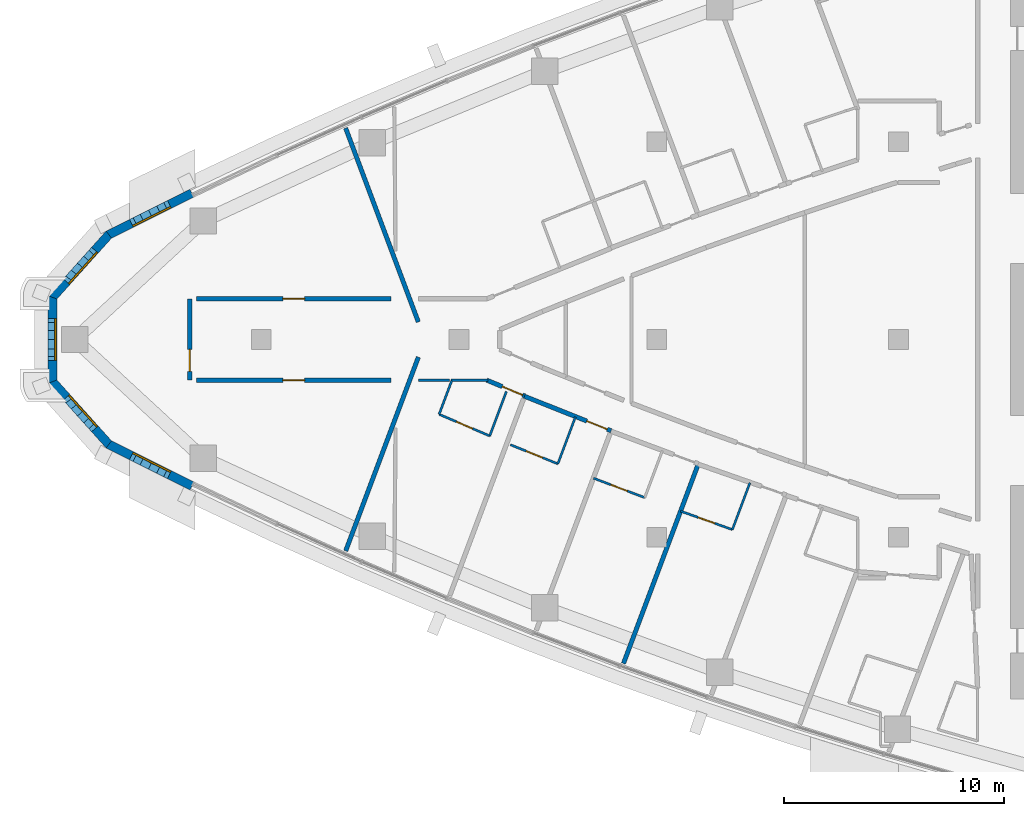
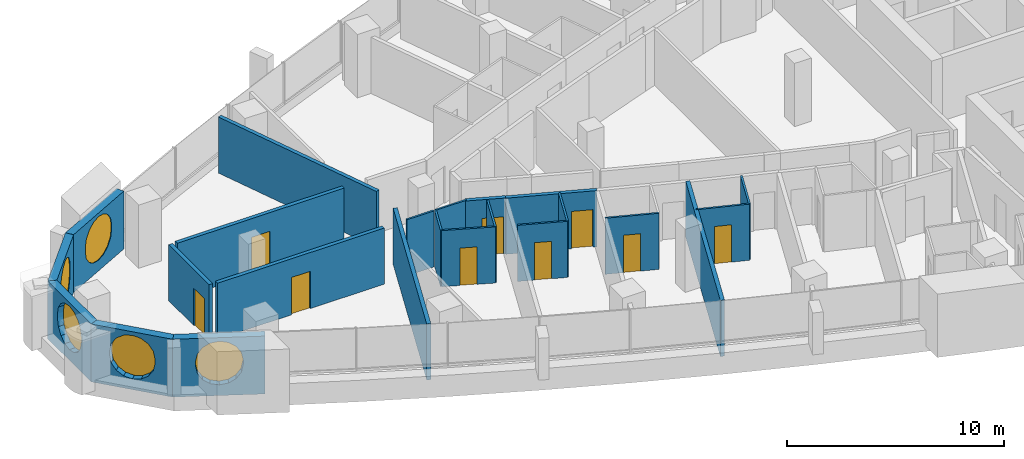
# One storey, part 8 of 16: 23 walls, 9 doors, 5 windows, 14 openings.
"""IFC4 building model written with IfcOpenShell, lengths in metres."""

from ifc_helpers import new_model, si_unit, direction, frame, frame_2d, origin, place, context, subcontext, project, spatial, polyline, rectangle, outline, extrude, material, layer, layer_set, type_object, element, fill, save


model = new_model("IFC4")

# Units and contexts
model_context = context("Model", 3, precision=1e-05, world=origin(), true_north=direction((0.0, 1.0)))
body_context = subcontext(model_context, "Body", "Model", "MODEL_VIEW")
ifc_project = project(units=[si_unit("LENGTHUNIT", "METRE"), si_unit("AREAUNIT", "SQUARE_METRE"), si_unit("VOLUMEUNIT", "CUBIC_METRE"), si_unit("PLANEANGLEUNIT", "RADIAN"), si_unit("MASSUNIT", "GRAM", prefix="KILO")], contexts=[model_context])

# Site, building, storey
site_placement = place(None, origin())
site = spatial("IfcSite", under=ifc_project, at=site_placement, CompositionType="ELEMENT")
building_placement = place(site_placement, origin())
building = spatial("IfcBuilding", under=site, at=building_placement, Name="Ostrand Prow Hotel Tower", CompositionType="ELEMENT")
storey_placement = place(building_placement, frame((0.0, 0.0, 252.75)))
storey = spatial("IfcBuildingStorey", under=building, at=storey_placement, Name="L64", CompositionType="ELEMENT", Elevation=252.75)

# Walls
ifc_material_1 = material(Name="Plasterboard partition")
ifc_layer_1 = layer(ifc_material_1, 0.10009765625)
ifc_layer_set_1 = layer_set([ifc_layer_1], Name="Plasterboard partition")
wall_type_1 = type_object("IfcWallType", Name="Partition 100 bathroom wall", PredefinedType="PARTITIONING", material=ifc_layer_set_1)
wall_1_placement = place(storey_placement, frame((24.09619140625, -3.403564453125, 0.0), z_axis=(0.0, 0.0, 1.0), x_axis=(0.351156192753, 0.936316895229, 0.0)))
element("IfcWall", 1, at=wall_1_placement, inside=storey, type_object=wall_type_1, Name="BATHROOM WALL", PredefinedType="PARTITIONING", context=body_context, shape_type="SweptSolid", body=[
    extrude(rectangle(XDim=1.6337890625, YDim=0.10009765625, at=frame_2d((0.81689453125, 0.0))), origin(), (0.0, 0.0, 1.0), 3.14990234375),
])
wall_2_placement = place(storey_placement, frame((27.15625, -2.36328125, 0.0), z_axis=(0.0, 0.0, 1.0), x_axis=(-0.351086267198, -0.936343117124, 0.0)))
element("IfcWall", 2, at=wall_2_placement, inside=storey, type_object=wall_type_1, Name="BATHROOM WALL", PredefinedType="PARTITIONING", context=body_context, shape_type="SweptSolid", body=[
    extrude(rectangle(XDim=2.1591796875, YDim=0.10009765625, at=frame_2d((1.07958984375, 0.0))), origin(), (0.0, 0.0, 1.0), 3.14990234375),
])

# Wall, opening, door
wall_3_placement = place(storey_placement, frame((26.39794921875, -4.385009765625, 0.0), z_axis=(0.0, 0.0, 1.0), x_axis=(-0.919870178563, 0.392222965404, 0.0)))
wall_3 = element("IfcWall", 3, at=wall_3_placement, inside=storey, type_object=wall_type_1, Name="BATHROOM WALL", PredefinedType="PARTITIONING", context=body_context, shape_type="SweptSolid", body=[
    extrude(rectangle(XDim=2.502197265625, YDim=0.10009765625, at=frame_2d((1.2509765625, 0.0))), origin(), (0.0, 0.0, 1.0), 3.14990234375),
])
opening_1_placement = place(wall_3_placement, frame((0.85009765625, 0.0, 0.0)))
opening_1 = element("IfcOpeningElement", 4, at=opening_1_placement, cuts=wall_3, Name="Opening D2", PredefinedType="OPENING", context=body_context, shape_type="SweptSolid", body=[
    extrude(rectangle(XDim=0.800048828125, YDim=2.10009765625, at=frame_2d((0.39990234375, 1.050048828125))), frame((0.0, 0.06005859375, 0.0), z_axis=(0.0, -1.0, 0.0), x_axis=(1.0, 0.0, 0.0)), (0.0, 0.0, 1.0), 0.1201171875),
])
ifc_material_2 = material(Name="Timber door leaf", Category="wood")
door_type_1 = type_object("IfcDoorType", Name="Bathroom door 800", OperationType="SINGLE_SWING_LEFT", PredefinedType="DOOR", material=ifc_material_2)
door_1_placement = place(opening_1_placement, origin())
door_1 = element("IfcDoor", 5, at=door_1_placement, inside=storey, type_object=door_type_1, Name="DOOR", OperationType="SINGLE_SWING_LEFT", OverallHeight=2.10009765625, OverallWidth=0.800048828125, PredefinedType="DOOR", context=body_context, shape_type="SweptSolid", body=[
    extrude(rectangle(XDim=0.800048828125, YDim=2.10009765625, at=frame_2d((0.39990234375, 1.050048828125))), frame((0.0, 0.02490234375, 0.0), z_axis=(0.0, -1.0, 0.0), x_axis=(1.0, 0.0, 0.0)), (0.0, 0.0, 1.0), 0.050048828125),
])
fill(opening_1, door_1)

# Wall
wall_4_placement = place(storey_placement, frame((30.29638671875, -3.5224609375, 0.0), z_axis=(0.0, 0.0, 1.0), x_axis=(-0.351099944253, -0.936337988734, 0.0)))
element("IfcWall", 6, at=wall_4_placement, inside=storey, type_object=wall_type_1, Name="BATHROOM WALL", PredefinedType="PARTITIONING", context=body_context, shape_type="SweptSolid", body=[
    extrude(rectangle(XDim=2.27734375, YDim=0.10009765625, at=frame_2d((1.138671875, 0.0))), origin(), (0.0, 0.0, 1.0), 3.14990234375),
])

# Wall, opening, door
wall_5_placement = place(storey_placement, frame((29.496826171875, -5.65478515625, 0.0), z_axis=(0.0, 0.0, 1.0), x_axis=(-0.927619412923, 0.373526739028, 0.0)))
wall_5 = element("IfcWall", 7, at=wall_5_placement, inside=storey, type_object=wall_type_1, Name="BATHROOM WALL", PredefinedType="PARTITIONING", context=body_context, shape_type="SweptSolid", body=[
    extrude(rectangle(XDim=2.32421875, YDim=0.10009765625, at=frame_2d((1.162109375, 0.0))), origin(), (0.0, 0.0, 1.0), 3.14990234375),
])
opening_2_placement = place(wall_5_placement, frame((0.75, 0.0, 0.0)))
opening_2 = element("IfcOpeningElement", 8, at=opening_2_placement, cuts=wall_5, Name="Opening D2", PredefinedType="OPENING", context=body_context, shape_type="SweptSolid", body=[
    extrude(rectangle(XDim=0.800048828125, YDim=2.10009765625, at=frame_2d((0.39990234375, 1.050048828125))), frame((0.0, 0.06005859375, 0.0), z_axis=(0.0, -1.0, 0.0), x_axis=(1.0, 0.0, 0.0)), (0.0, 0.0, 1.0), 0.1201171875),
])
door_2_placement = place(opening_2_placement, origin())
door_2 = element("IfcDoor", 9, at=door_2_placement, inside=storey, type_object=door_type_1, Name="DOOR", OperationType="SINGLE_SWING_LEFT", OverallHeight=2.10009765625, OverallWidth=0.800048828125, PredefinedType="DOOR", context=body_context, shape_type="SweptSolid", body=[
    extrude(rectangle(XDim=0.800048828125, YDim=2.10009765625, at=frame_2d((0.39990234375, 1.050048828125))), frame((0.0, 0.02490234375, 0.0), z_axis=(0.0, -1.0, 0.0), x_axis=(1.0, 0.0, 0.0)), (0.0, 0.0, 1.0), 0.050048828125),
])
fill(opening_2, door_2)

wall_6_placement = place(storey_placement, frame((33.44970703125, -7.192626953125, 0.0), z_axis=(0.0, 0.0, 1.0), x_axis=(-0.93495051617, 0.354778145202, 0.0)))
wall_6 = element("IfcWall", 10, at=wall_6_placement, inside=storey, type_object=wall_type_1, Name="BATHROOM WALL", PredefinedType="PARTITIONING", context=body_context, shape_type="SweptSolid", body=[
    extrude(rectangle(XDim=2.49462890625, YDim=0.10009765625, at=frame_2d((1.247314453125, 0.0))), origin(), (0.0, 0.0, 1.0), 3.14990234375),
])
opening_3_placement = place(wall_6_placement, frame((0.85009765625, 0.0, 0.0)))
opening_3 = element("IfcOpeningElement", 11, at=opening_3_placement, cuts=wall_6, Name="Opening D2", PredefinedType="OPENING", context=body_context, shape_type="SweptSolid", body=[
    extrude(rectangle(XDim=0.800048828125, YDim=2.10009765625, at=frame_2d((0.39990234375, 1.050048828125))), frame((0.0, 0.06005859375, 0.0), z_axis=(0.0, -1.0, 0.0), x_axis=(1.0, 0.0, 0.0)), (0.0, 0.0, 1.0), 0.1201171875),
])
door_3_placement = place(opening_3_placement, origin())
door_3 = element("IfcDoor", 12, at=door_3_placement, inside=storey, type_object=door_type_1, Name="DOOR", OperationType="SINGLE_SWING_LEFT", OverallHeight=2.10009765625, OverallWidth=0.800048828125, PredefinedType="DOOR", context=body_context, shape_type="SweptSolid", body=[
    extrude(rectangle(XDim=0.800048828125, YDim=2.10009765625, at=frame_2d((0.39990234375, 1.050048828125))), frame((0.0, 0.02490234375, 0.0), z_axis=(0.0, -1.0, 0.0), x_axis=(1.0, 0.0, 0.0)), (0.0, 0.0, 1.0), 0.050048828125),
])
fill(opening_3, door_3)

# Wall
wall_7_placement = place(storey_placement, frame((38.236083984375, -6.515625, 0.0), z_axis=(0.0, 0.0, 1.0), x_axis=(-0.351229183496, -0.936289517543, 0.0)))
element("IfcWall", 13, at=wall_7_placement, inside=storey, type_object=wall_type_1, Name="BATHROOM WALL", PredefinedType="PARTITIONING", context=body_context, shape_type="SweptSolid", body=[
    extrude(rectangle(XDim=2.277099609375, YDim=0.10009765625, at=frame_2d((1.138671875, 0.0))), origin(), (0.0, 0.0, 1.0), 3.14990234375),
])

# Wall, opening, door
wall_8_placement = place(storey_placement, frame((37.436279296875, -8.64794921875, 0.0), z_axis=(0.0, 0.0, 1.0), x_axis=(-0.941896455552, 0.335903359641, 0.0)))
wall_8 = element("IfcWall", 14, at=wall_8_placement, inside=storey, type_object=wall_type_1, Name="BATHROOM WALL", PredefinedType="PARTITIONING", context=body_context, shape_type="SweptSolid", body=[
    extrude(rectangle(XDim=2.500244140625, YDim=0.10009765625, at=frame_2d((1.25, 0.0))), origin(), (0.0, 0.0, 1.0), 3.14990234375),
])
opening_4_placement = place(wall_8_placement, frame((0.85009765625, 0.0, 0.0)))
opening_4 = element("IfcOpeningElement", 15, at=opening_4_placement, cuts=wall_8, Name="Opening D2", PredefinedType="OPENING", context=body_context, shape_type="SweptSolid", body=[
    extrude(rectangle(XDim=0.800048828125, YDim=2.10009765625, at=frame_2d((0.39990234375, 1.050048828125))), frame((0.0, 0.06005859375, 0.0), z_axis=(0.0, -1.0, 0.0), x_axis=(1.0, 0.0, 0.0)), (0.0, 0.0, 1.0), 0.1201171875),
])
door_4_placement = place(opening_4_placement, origin())
door_4 = element("IfcDoor", 16, at=door_4_placement, inside=storey, type_object=door_type_1, Name="DOOR", OperationType="SINGLE_SWING_LEFT", OverallHeight=2.10009765625, OverallWidth=0.800048828125, PredefinedType="DOOR", context=body_context, shape_type="SweptSolid", body=[
    extrude(rectangle(XDim=0.800048828125, YDim=2.10009765625, at=frame_2d((0.39990234375, 1.050048828125))), frame((0.0, 0.02490234375, 0.0), z_axis=(0.0, -1.0, 0.0), x_axis=(1.0, 0.0, 0.0)), (0.0, 0.0, 1.0), 0.050048828125),
])
fill(opening_4, door_4)

# Walls
wall_9_placement = place(storey_placement, frame((24.64697265625, -1.85498046875, 0.0), z_axis=(0.0, 0.0, 1.0), x_axis=(1.0, 0.0, 0.0)))
element("IfcWall", 17, at=wall_9_placement, inside=storey, type_object=wall_type_1, Name="BATHROOM WALL", PredefinedType="PARTITIONING", context=body_context, shape_type="SweptSolid", body=[
    extrude(rectangle(XDim=1.6689453125, YDim=0.10009765625, at=frame_2d((0.83447265625, 0.0))), origin(), (0.0, 0.0, 1.0), 3.14990234375),
])
wall_10_placement = place(storey_placement, frame((24.572021484375, -1.85009765625, 0.0), z_axis=(0.0, 0.0, 1.0), x_axis=(-1.0, 0.0, 0.0)))
element("IfcWall", 18, at=wall_10_placement, inside=storey, type_object=wall_type_1, Name="BATHROOM WALL", PredefinedType="PARTITIONING", context=body_context, shape_type="SweptSolid", body=[
    extrude(rectangle(XDim=1.422119140625, YDim=0.10009765625, at=frame_2d((0.7109375, 0.0))), origin(), (0.0, 0.0, 1.0), 3.14990234375),
])

# Wall, opening, door
ifc_material_3 = material(Name="Plasterboard partition")
ifc_layer_2 = layer(ifc_material_3, 0.199951171875)
ifc_layer_set_2 = layer_set([ifc_layer_2], Name="Plasterboard partition")
wall_type_2 = type_object("IfcWallType", Name="Partition 200 corridor wall", PredefinedType="PARTITIONING", material=ifc_layer_set_2)
wall_11_placement = place(storey_placement, frame((13.051513671875, 1.85009765625, 0.0), z_axis=(0.0, 0.0, 1.0), x_axis=(1.0, 0.0, 0.0)))
wall_11 = element("IfcWall", 19, at=wall_11_placement, inside=storey, type_object=wall_type_2, Name="CORRIDOR WALL", PredefinedType="PARTITIONING", context=body_context, shape_type="SweptSolid", body=[
    extrude(rectangle(XDim=8.86083984375, YDim=0.199951171875, at=frame_2d((4.430419921875, 0.0))), origin(), (0.0, 0.0, 1.0), 3.14990234375),
])
opening_5_placement = place(wall_11_placement, frame((3.930419921875, 0.0, 0.0)))
opening_5 = element("IfcOpeningElement", 20, at=opening_5_placement, cuts=wall_11, Name="Opening D1", PredefinedType="OPENING", context=body_context, shape_type="SweptSolid", body=[
    extrude(rectangle(XDim=1.0, YDim=2.10009765625, at=frame_2d((0.5, 1.050048828125))), frame((0.0, 0.10986328125, 0.0), z_axis=(0.0, -1.0, 0.0), x_axis=(1.0, 0.0, 0.0)), (0.0, 0.0, 1.0), 0.219970703125),
])
ifc_material_4 = material(Name="Timber door leaf", Category="wood")
door_type_2 = type_object("IfcDoorType", Name="Guest room door 1000", OperationType="SINGLE_SWING_LEFT", PredefinedType="DOOR", material=ifc_material_4)
door_5_placement = place(opening_5_placement, origin())
door_5 = element("IfcDoor", 21, at=door_5_placement, inside=storey, type_object=door_type_2, Name="DOOR", OperationType="SINGLE_SWING_LEFT", OverallHeight=2.10009765625, OverallWidth=1.0, PredefinedType="DOOR", context=body_context, shape_type="SweptSolid", body=[
    extrude(rectangle(XDim=1.0, YDim=2.10009765625, at=frame_2d((0.5, 1.050048828125))), frame((0.0, 0.02490234375, 0.0), z_axis=(0.0, -1.0, 0.0), x_axis=(1.0, 0.0, 0.0)), (0.0, 0.0, 1.0), 0.050048828125),
])
fill(opening_5, door_5)

wall_12_placement = place(storey_placement, frame((13.051513671875, -1.85009765625, 0.0), z_axis=(0.0, 0.0, 1.0), x_axis=(1.0, 0.0, 0.0)))
wall_12 = element("IfcWall", 22, at=wall_12_placement, inside=storey, type_object=wall_type_2, Name="CORRIDOR WALL", PredefinedType="PARTITIONING", context=body_context, shape_type="SweptSolid", body=[
    extrude(rectangle(XDim=8.86083984375, YDim=0.199951171875, at=frame_2d((4.430419921875, 0.0))), origin(), (0.0, 0.0, 1.0), 3.14990234375),
])
opening_6_placement = place(wall_12_placement, frame((3.930419921875, 0.0, 0.0)))
opening_6 = element("IfcOpeningElement", 23, at=opening_6_placement, cuts=wall_12, Name="Opening D1R", PredefinedType="OPENING", context=body_context, shape_type="SweptSolid", body=[
    extrude(rectangle(XDim=1.0, YDim=2.10009765625, at=frame_2d((0.5, 1.050048828125))), frame((0.0, 0.10986328125, 0.0), z_axis=(0.0, -1.0, 0.0), x_axis=(1.0, 0.0, 0.0)), (0.0, 0.0, 1.0), 0.219970703125),
])
ifc_material_5 = material(Name="Timber door leaf", Category="wood")
door_type_3 = type_object("IfcDoorType", Name="Guest room door 1000 right", OperationType="SINGLE_SWING_RIGHT", PredefinedType="DOOR", material=ifc_material_5)
door_6_placement = place(opening_6_placement, origin())
door_6 = element("IfcDoor", 24, at=door_6_placement, inside=storey, type_object=door_type_3, Name="DOOR", OperationType="SINGLE_SWING_RIGHT", OverallHeight=2.10009765625, OverallWidth=1.0, PredefinedType="DOOR", context=body_context, shape_type="SweptSolid", body=[
    extrude(rectangle(XDim=1.0, YDim=2.10009765625, at=frame_2d((0.5, 1.050048828125))), frame((0.0, 0.02490234375, 0.0), z_axis=(0.0, -1.0, 0.0), x_axis=(1.0, 0.0, 0.0)), (0.0, 0.0, 1.0), 0.050048828125),
])
fill(opening_6, door_6)

wall_13_placement = place(storey_placement, frame((26.265869140625, -1.85009765625, 0.0), z_axis=(0.0, 0.0, 1.0), x_axis=(0.924055156704, -0.382259162569, 0.0)))
wall_13 = element("IfcWall", 25, at=wall_13_placement, inside=storey, type_object=wall_type_2, Name="CORRIDOR WALL", PredefinedType="PARTITIONING", context=body_context, shape_type="SweptSolid", body=[
    extrude(rectangle(XDim=1.8623046875, YDim=0.199951171875, at=frame_2d((0.93115234375, 0.0))), origin(), (0.0, 0.0, 1.0), 3.14990234375),
])
opening_7_placement = place(wall_13_placement, frame((0.76220703125, 0.0, 0.0)))
opening_7 = element("IfcOpeningElement", 26, at=opening_7_placement, cuts=wall_13, Name="Opening D1", PredefinedType="OPENING", context=body_context, shape_type="SweptSolid", body=[
    extrude(rectangle(XDim=1.0, YDim=2.10009765625, at=frame_2d((0.5, 1.050048828125))), frame((0.0, 0.10986328125, 0.0), z_axis=(0.0, -1.0, 0.0), x_axis=(1.0, 0.0, 0.0)), (0.0, 0.0, 1.0), 0.219970703125),
])
door_7_placement = place(opening_7_placement, origin())
door_7 = element("IfcDoor", 27, at=door_7_placement, inside=storey, type_object=door_type_2, Name="DOOR", OperationType="SINGLE_SWING_LEFT", OverallHeight=2.10009765625, OverallWidth=1.0, PredefinedType="DOOR", context=body_context, shape_type="SweptSolid", body=[
    extrude(rectangle(XDim=1.0, YDim=2.10009765625, at=frame_2d((0.5, 1.050048828125))), frame((0.0, 0.02490234375, 0.0), z_axis=(0.0, -1.0, 0.0), x_axis=(1.0, 0.0, 0.0)), (0.0, 0.0, 1.0), 0.050048828125),
])
fill(opening_7, door_7)

wall_14_placement = place(storey_placement, frame((27.979736328125, -2.58056640625, 0.0), z_axis=(0.0, 0.0, 1.0), x_axis=(0.928920552813, -0.370279092795, 0.0)))
wall_14 = element("IfcWall", 28, at=wall_14_placement, inside=storey, type_object=wall_type_2, Name="CORRIDOR WALL", PredefinedType="PARTITIONING", context=body_context, shape_type="SweptSolid", body=[
    extrude(rectangle(XDim=4.2421875, YDim=0.199951171875, at=frame_2d((2.12109375, 0.0))), origin(), (0.0, 0.0, 1.0), 3.14990234375),
])
opening_8_placement = place(wall_14_placement, frame((3.050048828125, 0.0, 0.0)))
opening_8 = element("IfcOpeningElement", 29, at=opening_8_placement, cuts=wall_14, Name="Opening D1", PredefinedType="OPENING", context=body_context, shape_type="SweptSolid", body=[
    extrude(rectangle(XDim=1.0, YDim=2.10009765625, at=frame_2d((0.5, 1.050048828125))), frame((0.0, 0.10986328125, 0.0), z_axis=(0.0, -1.0, 0.0), x_axis=(1.0, 0.0, 0.0)), (0.0, 0.0, 1.0), 0.219970703125),
])
door_8_placement = place(opening_8_placement, origin())
door_8 = element("IfcDoor", 30, at=door_8_placement, inside=storey, type_object=door_type_2, Name="DOOR", OperationType="SINGLE_SWING_LEFT", OverallHeight=2.10009765625, OverallWidth=1.0, PredefinedType="DOOR", context=body_context, shape_type="SweptSolid", body=[
    extrude(rectangle(XDim=1.0, YDim=2.10009765625, at=frame_2d((0.5, 1.050048828125))), frame((0.0, 0.02490234375, 0.0), z_axis=(0.0, -1.0, 0.0), x_axis=(1.0, 0.0, 0.0)), (0.0, 0.0, 1.0), 0.050048828125),
])
fill(opening_8, door_8)

# Walls
ifc_material_6 = material(Name="Plasterboard partition")
ifc_layer_3 = layer(ifc_material_6, 0.199951171875)
ifc_layer_set_3 = layer_set([ifc_layer_3], Name="Plasterboard partition")
wall_type_3 = type_object("IfcWallType", Name="Partition 200 key partition", PredefinedType="PARTITIONING", material=ifc_layer_set_3)
for number, where, z_axis, x_axis, name in (
    (31, (23.14990234375, 0.800048828125, 0.0), (0.0, 0.0, 1.0), (-0.351123441588, 0.936329177569, 0.0), "KEY PARTITION"),
    (32, (19.84375, -9.616455078125, 0.0), (0.0, 0.0, 1.0), (0.351123441588, 0.936329177569, 0.0), "KEY PARTITION"),
):
    element("IfcWall", number, at=place(storey_placement, frame(where, z_axis=z_axis, x_axis=x_axis)), inside=storey, type_object=wall_type_3, Name=name, PredefinedType="PARTITIONING", context=body_context, shape_type="SweptSolid", body=[
        extrude(rectangle(XDim=9.416015625, YDim=0.199951171875, at=frame_2d((4.7080078125, 0.0))), origin(), (0.0, 0.0, 1.0), 3.14990234375),
    ])
wall_15_placement = place(storey_placement, frame((32.482666015625, -14.73779296875, 0.0), z_axis=(0.0, 0.0, 1.0), x_axis=(0.351117925717, 0.936331246002, 0.0)))
element("IfcWall", 33, at=wall_15_placement, inside=storey, type_object=wall_type_3, Name="KEY PARTITION", PredefinedType="PARTITIONING", context=body_context, shape_type="SweptSolid", body=[
    extrude(rectangle(XDim=9.701171875, YDim=0.199951171875, at=frame_2d((4.8505859375, 0.0))), origin(), (0.0, 0.0, 1.0), 3.14990234375),
])

# Wall, opening, door
ifc_material_7 = material(Name="Plasterboard partition")
ifc_layer_4 = layer(ifc_material_7, 0.199951171875)
ifc_layer_set_4 = layer_set([ifc_layer_4], Name="Plasterboard partition")
wall_type_4 = type_object("IfcWallType", Name="Partition 200 lounge wall", PredefinedType="PARTITIONING", material=ifc_layer_set_4)
wall_16_placement = place(storey_placement, frame((12.75146484375, -1.85009765625, 0.0), z_axis=(0.0, 0.0, 1.0), x_axis=(0.0, 1.0, 0.0)))
wall_16 = element("IfcWall", 34, at=wall_16_placement, inside=storey, type_object=wall_type_4, Name="LOUNGE WALL", PredefinedType="PARTITIONING", context=body_context, shape_type="SweptSolid", body=[
    extrude(rectangle(XDim=3.7001953125, YDim=0.199951171875, at=frame_2d((1.85009765625, 0.0))), origin(), (0.0, 0.0, 1.0), 3.14990234375),
])
opening_9_placement = place(wall_16_placement, frame((0.39990234375, 0.0, 0.0)))
opening_9 = element("IfcOpeningElement", 35, at=opening_9_placement, cuts=wall_16, Name="Opening D1", PredefinedType="OPENING", context=body_context, shape_type="SweptSolid", body=[
    extrude(rectangle(XDim=1.0, YDim=2.10009765625, at=frame_2d((0.5, 1.050048828125))), frame((0.0, 0.10986328125, 0.0), z_axis=(0.0, -1.0, 0.0), x_axis=(1.0, 0.0, 0.0)), (0.0, 0.0, 1.0), 0.219970703125),
])
door_9_placement = place(opening_9_placement, origin())
door_9 = element("IfcDoor", 36, at=door_9_placement, inside=storey, type_object=door_type_2, Name="DOOR", OperationType="SINGLE_SWING_LEFT", OverallHeight=2.10009765625, OverallWidth=1.0, PredefinedType="DOOR", context=body_context, shape_type="SweptSolid", body=[
    extrude(rectangle(XDim=1.0, YDim=2.10009765625, at=frame_2d((0.5, 1.050048828125))), frame((0.0, 0.02490234375, 0.0), z_axis=(0.0, -1.0, 0.0), x_axis=(1.0, 0.0, 0.0)), (0.0, 0.0, 1.0), 0.050048828125),
])
fill(opening_9, door_9)

# Wall, opening, window
ifc_material_8 = material(Name="Precast concrete C40/50", Category="concrete")
ifc_layer_5 = layer(ifc_material_8, 0.39990234375)
ifc_layer_set_5 = layer_set([ifc_layer_5], Name="Precast concrete C40/50")
wall_type_5 = type_object("IfcWallType", Name="Stone-faced precast wall 400 mm", PredefinedType="NOTDEFINED", material=ifc_layer_set_5)
wall_17_placement = place(storey_placement, frame((12.849365234375, 6.66064453125, 0.0), z_axis=(0.0, 0.0, 1.0), x_axis=(-0.894554263274, -0.446959360634, 0.0)))
wall_17 = element("IfcWall", 37, at=wall_17_placement, inside=storey, type_object=wall_type_5, Name="Stone-faced wall prow 1", PredefinedType="NOTDEFINED", context=body_context, shape_type="SweptSolid", body=[
    extrude(outline(polyline([(0.0, -0.199951171875), (4.263671875, -0.199951171875), (4.1875, 0.199951171875), (0.0, 0.199951171875), (0.0, -0.199951171875)])), origin(), (0.0, 0.0, 1.0), 3.25),
])
opening_10_placement = place(wall_17_placement, frame((1.012939453125, 0.0, 0.60009765625)))
opening_10 = element("IfcOpeningElement", 38, at=opening_10_placement, cuts=wall_17, Name="Opening WP1", PredefinedType="OPENING", context=body_context, shape_type="SweptSolid", body=[
    extrude(outline(polyline([(0.0, 1.35009765625), (0.083740234375, 1.77099609375), (0.322265625, 2.127685546875), (0.678955078125, 2.3662109375), (1.10009765625, 2.449951171875), (1.52099609375, 2.3662109375), (1.877685546875, 2.127685546875), (2.1162109375, 1.77099609375), (2.199951171875, 1.35009765625), (2.199951171875, 1.10009765625), (2.1162109375, 0.678955078125), (1.877685546875, 0.322265625), (1.52099609375, 0.083740234375), (1.10009765625, 0.0), (0.678955078125, 0.083740234375), (0.322265625, 0.322265625), (0.083740234375, 0.678955078125), (0.0, 1.099853515625), (0.0, 1.35009765625)])), frame((0.0, 0.2099609375, 0.0), z_axis=(0.0, -1.0, 0.0), x_axis=(1.0, 0.0, 0.0)), (0.0, 0.0, 1.0), 0.419921875),
])
ifc_material_9 = material(Name="Insulated glass in bronze frame", Category="glass")
window_type = type_object("IfcWindowType", Name="Round-ended prow window 2200x2450", PartitioningType="SINGLE_PANEL", PredefinedType="WINDOW", material=ifc_material_9)
window_1_placement = place(opening_10_placement, origin())
window_1 = element("IfcWindow", 39, at=window_1_placement, inside=storey, type_object=window_type, Name="Window prow 1.1", OverallHeight=2.449951171875, OverallWidth=2.199951171875, PartitioningType="SINGLE_PANEL", PredefinedType="WINDOW", context=body_context, shape_type="SweptSolid", body=[
    extrude(outline(polyline([(0.0, 1.35009765625), (0.083740234375, 1.77099609375), (0.322265625, 2.127685546875), (0.678955078125, 2.3662109375), (1.10009765625, 2.449951171875), (1.52099609375, 2.3662109375), (1.877685546875, 2.127685546875), (2.1162109375, 1.77099609375), (2.199951171875, 1.35009765625), (2.199951171875, 1.10009765625), (2.1162109375, 0.678955078125), (1.877685546875, 0.322265625), (1.52099609375, 0.083740234375), (1.10009765625, 0.0), (0.678955078125, 0.083740234375), (0.322265625, 0.322265625), (0.083740234375, 0.678955078125), (0.0, 1.099853515625), (0.0, 1.35009765625)])), frame((0.0, 0.169921875, 0.0), z_axis=(0.0, -1.0, 0.0), x_axis=(1.0, 0.0, 0.0)), (0.0, 0.0, 1.0), 0.06005859375),
])
fill(opening_10, window_1)

wall_18_placement = place(storey_placement, frame((9.0693359375, 4.77197265625, 0.0), z_axis=(0.0, 0.0, 1.0), x_axis=(-0.668018215058, -0.744144921605, 0.0)))
wall_18 = element("IfcWall", 40, at=wall_18_placement, inside=storey, type_object=wall_type_5, Name="Stone-faced wall prow 2", PredefinedType="NOTDEFINED", context=body_context, shape_type="SweptSolid", body=[
    extrude(outline(polyline([(-0.0380859375, -0.199951171875), (3.912353515625, -0.199951171875), (3.759033203125, 0.199951171875), (0.0380859375, 0.199951171875), (-0.0380859375, -0.199951171875)])), origin(), (0.0, 0.0, 1.0), 3.25),
])
opening_11_placement = place(wall_18_placement, frame((0.81787109375, 0.0, 0.60009765625)))
opening_11 = element("IfcOpeningElement", 41, at=opening_11_placement, cuts=wall_18, Name="Opening WP1", PredefinedType="OPENING", context=body_context, shape_type="SweptSolid", body=[
    extrude(outline(polyline([(0.0, 1.35009765625), (0.083740234375, 1.77099609375), (0.322265625, 2.127685546875), (0.678955078125, 2.3662109375), (1.10009765625, 2.449951171875), (1.52099609375, 2.3662109375), (1.877685546875, 2.127685546875), (2.1162109375, 1.77099609375), (2.199951171875, 1.35009765625), (2.199951171875, 1.10009765625), (2.1162109375, 0.678955078125), (1.877685546875, 0.322265625), (1.52099609375, 0.083740234375), (1.10009765625, 0.0), (0.678955078125, 0.083740234375), (0.322265625, 0.322265625), (0.083740234375, 0.678955078125), (0.0, 1.099853515625), (0.0, 1.35009765625)])), frame((0.0, 0.2099609375, 0.0), z_axis=(0.0, -1.0, 0.0), x_axis=(1.0, 0.0, 0.0)), (0.0, 0.0, 1.0), 0.419921875),
])
window_2_placement = place(opening_11_placement, origin())
window_2 = element("IfcWindow", 42, at=window_2_placement, inside=storey, type_object=window_type, Name="Window prow 2.1", OverallHeight=2.449951171875, OverallWidth=2.199951171875, PartitioningType="SINGLE_PANEL", PredefinedType="WINDOW", context=body_context, shape_type="SweptSolid", body=[
    extrude(outline(polyline([(0.0, 1.35009765625), (0.083740234375, 1.77099609375), (0.322265625, 2.127685546875), (0.678955078125, 2.3662109375), (1.10009765625, 2.449951171875), (1.52099609375, 2.3662109375), (1.877685546875, 2.127685546875), (2.1162109375, 1.77099609375), (2.199951171875, 1.35009765625), (2.199951171875, 1.10009765625), (2.1162109375, 0.678955078125), (1.877685546875, 0.322265625), (1.52099609375, 0.083740234375), (1.10009765625, 0.0), (0.678955078125, 0.083740234375), (0.322265625, 0.322265625), (0.083740234375, 0.678955078125), (0.0, 1.099853515625), (0.0, 1.35009765625)])), frame((0.0, 0.169921875, 0.0), z_axis=(0.0, -1.0, 0.0), x_axis=(1.0, 0.0, 0.0)), (0.0, 0.0, 1.0), 0.06005859375),
])
fill(opening_11, window_2)

wall_19_placement = place(storey_placement, frame((6.507080078125, 1.917724609375, 0.0), z_axis=(0.0, 0.0, 1.0), x_axis=(0.0, -1.0, 0.0)))
wall_19 = element("IfcWall", 43, at=wall_19_placement, inside=storey, type_object=wall_type_5, Name="Stone-faced wall prow 3", PredefinedType="NOTDEFINED", context=body_context, shape_type="SweptSolid", body=[
    extrude(outline(polyline([(-0.07666015625, -0.199951171875), (3.912109375, -0.199951171875), (3.7587890625, 0.199951171875), (0.07666015625, 0.199951171875), (-0.07666015625, -0.199951171875)])), origin(), (0.0, 0.0, 1.0), 3.25),
])
opening_12_placement = place(wall_19_placement, frame((0.81787109375, 0.0, 0.60009765625)))
opening_12 = element("IfcOpeningElement", 44, at=opening_12_placement, cuts=wall_19, Name="Opening WP1", PredefinedType="OPENING", context=body_context, shape_type="SweptSolid", body=[
    extrude(outline(polyline([(0.0, 1.35009765625), (0.083740234375, 1.77099609375), (0.322265625, 2.127685546875), (0.678955078125, 2.3662109375), (1.10009765625, 2.449951171875), (1.52099609375, 2.3662109375), (1.877685546875, 2.127685546875), (2.1162109375, 1.77099609375), (2.199951171875, 1.35009765625), (2.199951171875, 1.10009765625), (2.1162109375, 0.678955078125), (1.877685546875, 0.322265625), (1.52099609375, 0.083740234375), (1.10009765625, 0.0), (0.678955078125, 0.083740234375), (0.322265625, 0.322265625), (0.083740234375, 0.678955078125), (0.0, 1.099853515625), (0.0, 1.35009765625)])), frame((0.0, 0.2099609375, 0.0), z_axis=(0.0, -1.0, 0.0), x_axis=(1.0, 0.0, 0.0)), (0.0, 0.0, 1.0), 0.419921875),
])
window_3_placement = place(opening_12_placement, origin())
window_3 = element("IfcWindow", 45, at=window_3_placement, inside=storey, type_object=window_type, Name="Window prow 3.1", OverallHeight=2.449951171875, OverallWidth=2.199951171875, PartitioningType="SINGLE_PANEL", PredefinedType="WINDOW", context=body_context, shape_type="SweptSolid", body=[
    extrude(outline(polyline([(0.0, 1.35009765625), (0.083740234375, 1.77099609375), (0.322265625, 2.127685546875), (0.678955078125, 2.3662109375), (1.10009765625, 2.449951171875), (1.52099609375, 2.3662109375), (1.877685546875, 2.127685546875), (2.1162109375, 1.77099609375), (2.199951171875, 1.35009765625), (2.199951171875, 1.10009765625), (2.1162109375, 0.678955078125), (1.877685546875, 0.322265625), (1.52099609375, 0.083740234375), (1.10009765625, 0.0), (0.678955078125, 0.083740234375), (0.322265625, 0.322265625), (0.083740234375, 0.678955078125), (0.0, 1.099853515625), (0.0, 1.35009765625)])), frame((0.0, 0.169921875, 0.0), z_axis=(0.0, -1.0, 0.0), x_axis=(1.0, 0.0, 0.0)), (0.0, 0.0, 1.0), 0.06005859375),
])
fill(opening_12, window_3)

wall_20_placement = place(storey_placement, frame((6.507080078125, -1.917724609375, 0.0), z_axis=(0.0, 0.0, 1.0), x_axis=(0.668018215058, -0.744144921605, 0.0)))
wall_20 = element("IfcWall", 46, at=wall_20_placement, inside=storey, type_object=wall_type_5, Name="Stone-faced wall prow 4", PredefinedType="NOTDEFINED", context=body_context, shape_type="SweptSolid", body=[
    extrude(outline(polyline([(-0.07666015625, -0.199951171875), (3.873779296875, -0.199951171875), (3.797607421875, 0.199951171875), (0.07666015625, 0.199951171875), (-0.07666015625, -0.199951171875)])), origin(), (0.0, 0.0, 1.0), 3.25),
])
opening_13_placement = place(wall_20_placement, frame((0.81787109375, 0.0, 0.60009765625)))
opening_13 = element("IfcOpeningElement", 47, at=opening_13_placement, cuts=wall_20, Name="Opening WP1", PredefinedType="OPENING", context=body_context, shape_type="SweptSolid", body=[
    extrude(outline(polyline([(0.0, 1.35009765625), (0.083740234375, 1.77099609375), (0.322265625, 2.127685546875), (0.678955078125, 2.3662109375), (1.10009765625, 2.449951171875), (1.52099609375, 2.3662109375), (1.877685546875, 2.127685546875), (2.1162109375, 1.77099609375), (2.199951171875, 1.35009765625), (2.199951171875, 1.10009765625), (2.1162109375, 0.678955078125), (1.877685546875, 0.322265625), (1.52099609375, 0.083740234375), (1.10009765625, 0.0), (0.678955078125, 0.083740234375), (0.322265625, 0.322265625), (0.083740234375, 0.678955078125), (0.0, 1.099853515625), (0.0, 1.35009765625)])), frame((0.0, 0.2099609375, 0.0), z_axis=(0.0, -1.0, 0.0), x_axis=(1.0, 0.0, 0.0)), (0.0, 0.0, 1.0), 0.419921875),
])
window_4_placement = place(opening_13_placement, origin())
window_4 = element("IfcWindow", 48, at=window_4_placement, inside=storey, type_object=window_type, Name="Window prow 4.1", OverallHeight=2.449951171875, OverallWidth=2.199951171875, PartitioningType="SINGLE_PANEL", PredefinedType="WINDOW", context=body_context, shape_type="SweptSolid", body=[
    extrude(outline(polyline([(0.0, 1.35009765625), (0.083740234375, 1.77099609375), (0.322265625, 2.127685546875), (0.678955078125, 2.3662109375), (1.10009765625, 2.449951171875), (1.52099609375, 2.3662109375), (1.877685546875, 2.127685546875), (2.1162109375, 1.77099609375), (2.199951171875, 1.35009765625), (2.199951171875, 1.10009765625), (2.1162109375, 0.678955078125), (1.877685546875, 0.322265625), (1.52099609375, 0.083740234375), (1.10009765625, 0.0), (0.678955078125, 0.083740234375), (0.322265625, 0.322265625), (0.083740234375, 0.678955078125), (0.0, 1.099853515625), (0.0, 1.35009765625)])), frame((0.0, 0.169921875, 0.0), z_axis=(0.0, -1.0, 0.0), x_axis=(1.0, 0.0, 0.0)), (0.0, 0.0, 1.0), 0.06005859375),
])
fill(opening_13, window_4)

wall_21_placement = place(storey_placement, frame((9.0693359375, -4.77197265625, 0.0), z_axis=(0.0, 0.0, 1.0), x_axis=(0.894554263274, -0.446959360634, 0.0)))
wall_21 = element("IfcWall", 49, at=wall_21_placement, inside=storey, type_object=wall_type_5, Name="Stone-faced wall prow 5", PredefinedType="NOTDEFINED", context=body_context, shape_type="SweptSolid", body=[
    extrude(outline(polyline([(-0.0380859375, -0.199951171875), (4.2255859375, -0.199951171875), (4.2255859375, 0.199951171875), (0.0380859375, 0.199951171875), (-0.0380859375, -0.199951171875)])), origin(), (0.0, 0.0, 1.0), 3.25),
])
opening_14_placement = place(wall_21_placement, frame((1.012939453125, 0.0, 0.60009765625)))
opening_14 = element("IfcOpeningElement", 50, at=opening_14_placement, cuts=wall_21, Name="Opening WP1", PredefinedType="OPENING", context=body_context, shape_type="SweptSolid", body=[
    extrude(outline(polyline([(0.0, 1.35009765625), (0.083740234375, 1.77099609375), (0.322265625, 2.127685546875), (0.678955078125, 2.3662109375), (1.10009765625, 2.449951171875), (1.52099609375, 2.3662109375), (1.877685546875, 2.127685546875), (2.1162109375, 1.77099609375), (2.199951171875, 1.35009765625), (2.199951171875, 1.10009765625), (2.1162109375, 0.678955078125), (1.877685546875, 0.322265625), (1.52099609375, 0.083740234375), (1.10009765625, 0.0), (0.678955078125, 0.083740234375), (0.322265625, 0.322265625), (0.083740234375, 0.678955078125), (0.0, 1.099853515625), (0.0, 1.35009765625)])), frame((0.0, 0.2099609375, 0.0), z_axis=(0.0, -1.0, 0.0), x_axis=(1.0, 0.0, 0.0)), (0.0, 0.0, 1.0), 0.419921875),
])
window_5_placement = place(opening_14_placement, origin())
window_5 = element("IfcWindow", 51, at=window_5_placement, inside=storey, type_object=window_type, Name="Window prow 5.1", OverallHeight=2.449951171875, OverallWidth=2.199951171875, PartitioningType="SINGLE_PANEL", PredefinedType="WINDOW", context=body_context, shape_type="SweptSolid", body=[
    extrude(outline(polyline([(0.0, 1.35009765625), (0.083740234375, 1.77099609375), (0.322265625, 2.127685546875), (0.678955078125, 2.3662109375), (1.10009765625, 2.449951171875), (1.52099609375, 2.3662109375), (1.877685546875, 2.127685546875), (2.1162109375, 1.77099609375), (2.199951171875, 1.35009765625), (2.199951171875, 1.10009765625), (2.1162109375, 0.678955078125), (1.877685546875, 0.322265625), (1.52099609375, 0.083740234375), (1.10009765625, 0.0), (0.678955078125, 0.083740234375), (0.322265625, 0.322265625), (0.083740234375, 0.678955078125), (0.0, 1.099853515625), (0.0, 1.35009765625)])), frame((0.0, 0.169921875, 0.0), z_axis=(0.0, -1.0, 0.0), x_axis=(1.0, 0.0, 0.0)), (0.0, 0.0, 1.0), 0.06005859375),
])
fill(opening_14, window_5)

save(model, "model.ifc")
